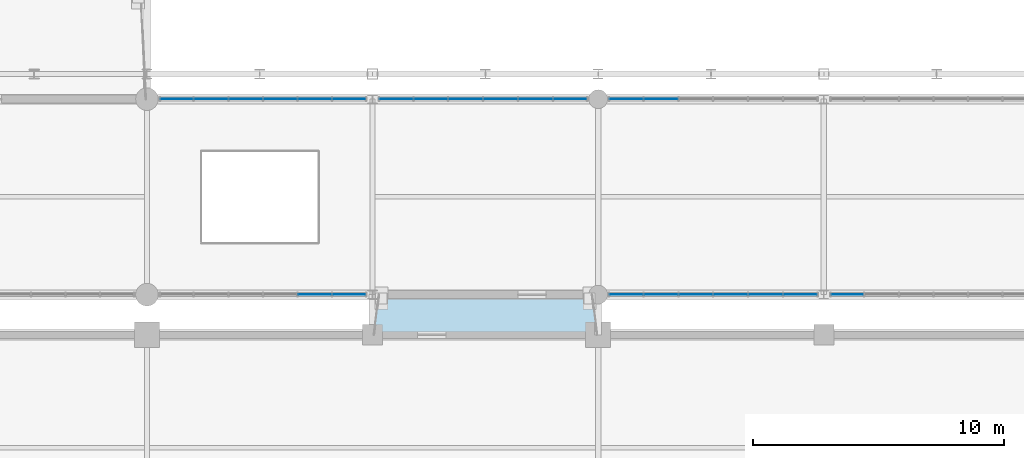
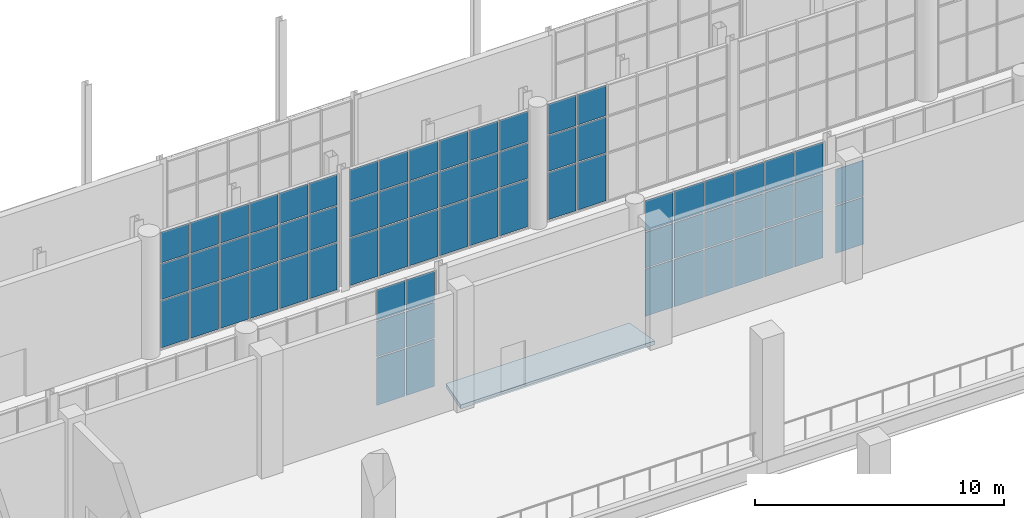
# One storey, part 100 of 159: 68 plates, 1 slab, 6 elements without a shape of their own.
"""IFC4 building model written with IfcOpenShell, lengths in metres."""

from ifc_helpers import new_model, si_unit, direction, frame, origin, origin_2d, place, context, subcontext, project, spatial, polyline, rectangle, outline, extrude, material, layer, layer_set, type_object, element, aggregate, save


model = new_model("IFC4")

# Units and contexts
model_context = context("Model", 3, precision=1e-05, world=origin(), true_north=direction((0.0, 1.0)))
body_context = subcontext(model_context, "Body", "Model", "MODEL_VIEW")
ifc_project = project(units=[si_unit("LENGTHUNIT", "METRE"), si_unit("AREAUNIT", "SQUARE_METRE"), si_unit("VOLUMEUNIT", "CUBIC_METRE"), si_unit("PLANEANGLEUNIT", "RADIAN"), si_unit("MASSUNIT", "GRAM", prefix="KILO")], contexts=[model_context])

# Site, building, storey
site_placement = place(None, origin())
site = spatial("IfcSite", under=ifc_project, at=site_placement, CompositionType="ELEMENT")
building_placement = place(site_placement, origin())
building = spatial("IfcBuilding", under=site, at=building_placement, Name="Cazmaro Siding Exhibition Halls", CompositionType="ELEMENT")
storey_placement = place(building_placement, frame((0.0, 0.0, 6.0)))
storey = spatial("IfcBuildingStorey", under=building, at=storey_placement, Name="L01", CompositionType="ELEMENT", Elevation=6.0)

# Curtain wall, plates
ifc_material_1 = material(Name="Anodized Bronze Aluminum and Solar-Control Low-E Glazing", Category="aluminium")
ifc_layer_1 = layer(ifc_material_1, 0.179931640625)
ifc_layer_set_1 = layer_set([ifc_layer_1], Name="Anodized Bronze Aluminum and Solar-Control Low-E Glazing")
curtain_wall_type = type_object("IfcCurtainWallType", Name="CWS-01", PredefinedType="USERDEFINED", material=ifc_layer_set_1)
curtain_wall_1_placement = place(storey_placement, origin())
curtain_wall_1 = element("IfcCurtainWall", 1, at=curtain_wall_1_placement, inside=storey, type_object=curtain_wall_type, Name="Glazed Curtain Wall CWS-01 CW-172", ObjectType="GLAZED CURTAIN WALL", PredefinedType="USERDEFINED")
ifc_material_2 = material(Name="Solar-Control Low-E Double Insulating Glass", Category="glass")
ifc_layer_2 = layer(ifc_material_2, 0.02392578125)
ifc_layer_set_2 = layer_set([ifc_layer_2], Name="Solar-Control Low-E Double Insulating Glass")
plate_type = type_object("IfcPlateType", Name="CWP-01", PredefinedType="CURTAIN_PANEL", material=ifc_layer_set_2)
plate_1_placement = place(storey_placement, frame((96.6982421875, 55.199951171875, 0.06005859375), z_axis=(0.0, 0.0, 1.0), x_axis=(1.0, 0.0, 0.0)))
plate_1 = element("IfcPlate", 2, at=plate_1_placement, type_object=plate_type, Name="CWS-01 panel 5.1", PredefinedType="CURTAIN_PANEL", context=body_context, shape_type="SweptSolid", body=[
    extrude(rectangle(XDim=1.321044921875, YDim=0.02392578125, at=origin_2d()), origin(), (0.0, 0.0, 1.0), 2.31005859375),
])
plate_2_placement = place(storey_placement, frame((96.6982421875, 55.199951171875, 2.43017578125), z_axis=(0.0, 0.0, 1.0), x_axis=(1.0, 0.0, 0.0)))
plate_2 = element("IfcPlate", 3, at=plate_2_placement, type_object=plate_type, Name="CWS-01 panel 5.2", PredefinedType="CURTAIN_PANEL", context=body_context, shape_type="SweptSolid", body=[
    extrude(rectangle(XDim=1.321044921875, YDim=0.02392578125, at=origin_2d()), origin(), (0.0, 0.0, 1.0), 1.739990234375),
])
plate_3_placement = place(storey_placement, frame((96.6982421875, 55.199951171875, 4.22998046875), z_axis=(0.0, 0.0, 1.0), x_axis=(1.0, 0.0, 0.0)))
plate_3 = element("IfcPlate", 4, at=plate_3_placement, type_object=plate_type, Name="CWS-01 panel 5.3", PredefinedType="CURTAIN_PANEL", context=body_context, shape_type="SweptSolid", body=[
    extrude(rectangle(XDim=1.321044921875, YDim=0.02392578125, at=origin_2d()), origin(), (0.0, 0.0, 1.0), 1.489990234375),
])
plate_4_placement = place(storey_placement, frame((98.064453125, 55.199951171875, 0.06005859375), z_axis=(0.0, 0.0, 1.0), x_axis=(1.0, 0.0, 0.0)))
plate_4 = element("IfcPlate", 5, at=plate_4_placement, type_object=plate_type, Name="CWS-01 panel 6.1", PredefinedType="CURTAIN_PANEL", context=body_context, shape_type="SweptSolid", body=[
    extrude(rectangle(XDim=1.291259765625, YDim=0.02392578125, at=origin_2d()), origin(), (0.0, 0.0, 1.0), 2.31005859375),
])
plate_5_placement = place(storey_placement, frame((98.064453125, 55.199951171875, 2.43017578125), z_axis=(0.0, 0.0, 1.0), x_axis=(1.0, 0.0, 0.0)))
plate_5 = element("IfcPlate", 6, at=plate_5_placement, type_object=plate_type, Name="CWS-01 panel 6.2", PredefinedType="CURTAIN_PANEL", context=body_context, shape_type="SweptSolid", body=[
    extrude(rectangle(XDim=1.291259765625, YDim=0.02392578125, at=origin_2d()), origin(), (0.0, 0.0, 1.0), 1.739990234375),
])
plate_6_placement = place(storey_placement, frame((98.064453125, 55.199951171875, 4.22998046875), z_axis=(0.0, 0.0, 1.0), x_axis=(1.0, 0.0, 0.0)))
plate_6 = element("IfcPlate", 7, at=plate_6_placement, type_object=plate_type, Name="CWS-01 panel 6.3", PredefinedType="CURTAIN_PANEL", context=body_context, shape_type="SweptSolid", body=[
    extrude(rectangle(XDim=1.291259765625, YDim=0.02392578125, at=origin_2d()), origin(), (0.0, 0.0, 1.0), 1.489990234375),
])
aggregate(curtain_wall_1, [plate_1, plate_2, plate_3, plate_4, plate_5, plate_6])

curtain_wall_2_placement = place(storey_placement, origin())
curtain_wall_2 = element("IfcCurtainWall", 8, at=curtain_wall_2_placement, inside=storey, type_object=curtain_wall_type, Name="Glazed Curtain Wall CWS-01 CW-174", ObjectType="GLAZED CURTAIN WALL", PredefinedType="USERDEFINED")
plate_7_placement = place(storey_placement, frame((98.064453125, 63.0, 0.06005859375), z_axis=(0.0, 0.0, 1.0), x_axis=(-1.0, 0.0, 0.0)))
plate_7 = element("IfcPlate", 9, at=plate_7_placement, type_object=plate_type, Name="CWS-01 panel 1.1", PredefinedType="CURTAIN_PANEL", context=body_context, shape_type="SweptSolid", body=[
    extrude(rectangle(XDim=1.291259765625, YDim=0.02392578125, at=origin_2d()), origin(), (0.0, 0.0, 1.0), 2.31005859375),
])
plate_8_placement = place(storey_placement, frame((98.064453125, 63.0, 2.43017578125), z_axis=(0.0, 0.0, 1.0), x_axis=(-1.0, 0.0, 0.0)))
plate_8 = element("IfcPlate", 10, at=plate_8_placement, type_object=plate_type, Name="CWS-01 panel 1.2", PredefinedType="CURTAIN_PANEL", context=body_context, shape_type="SweptSolid", body=[
    extrude(rectangle(XDim=1.291259765625, YDim=0.02392578125, at=origin_2d()), origin(), (0.0, 0.0, 1.0), 1.739990234375),
])
plate_9_placement = place(storey_placement, frame((98.064453125, 63.0, 4.22998046875), z_axis=(0.0, 0.0, 1.0), x_axis=(-1.0, 0.0, 0.0)))
plate_9 = element("IfcPlate", 11, at=plate_9_placement, type_object=plate_type, Name="CWS-01 panel 1.3", PredefinedType="CURTAIN_PANEL", context=body_context, shape_type="SweptSolid", body=[
    extrude(rectangle(XDim=1.291259765625, YDim=0.02392578125, at=origin_2d()), origin(), (0.0, 0.0, 1.0), 1.489990234375),
])
plate_10_placement = place(storey_placement, frame((96.6982421875, 63.0, 0.06005859375), z_axis=(0.0, 0.0, 1.0), x_axis=(-1.0, 0.0, 0.0)))
plate_10 = element("IfcPlate", 12, at=plate_10_placement, type_object=plate_type, Name="CWS-01 panel 2.1", PredefinedType="CURTAIN_PANEL", context=body_context, shape_type="SweptSolid", body=[
    extrude(rectangle(XDim=1.321044921875, YDim=0.02392578125, at=origin_2d()), origin(), (0.0, 0.0, 1.0), 2.31005859375),
])
plate_11_placement = place(storey_placement, frame((96.6982421875, 63.0, 2.43017578125), z_axis=(0.0, 0.0, 1.0), x_axis=(-1.0, 0.0, 0.0)))
plate_11 = element("IfcPlate", 13, at=plate_11_placement, type_object=plate_type, Name="CWS-01 panel 2.2", PredefinedType="CURTAIN_PANEL", context=body_context, shape_type="SweptSolid", body=[
    extrude(rectangle(XDim=1.321044921875, YDim=0.02392578125, at=origin_2d()), origin(), (0.0, 0.0, 1.0), 1.739990234375),
])
plate_12_placement = place(storey_placement, frame((96.6982421875, 63.0, 4.22998046875), z_axis=(0.0, 0.0, 1.0), x_axis=(-1.0, 0.0, 0.0)))
plate_12 = element("IfcPlate", 14, at=plate_12_placement, type_object=plate_type, Name="CWS-01 panel 2.3", PredefinedType="CURTAIN_PANEL", context=body_context, shape_type="SweptSolid", body=[
    extrude(rectangle(XDim=1.321044921875, YDim=0.02392578125, at=origin_2d()), origin(), (0.0, 0.0, 1.0), 1.489990234375),
])
plate_13_placement = place(storey_placement, frame((95.317138671875, 63.0, 0.06005859375), z_axis=(0.0, 0.0, 1.0), x_axis=(-1.0, 0.0, 0.0)))
plate_13 = element("IfcPlate", 15, at=plate_13_placement, type_object=plate_type, Name="CWS-01 panel 3.1", PredefinedType="CURTAIN_PANEL", context=body_context, shape_type="SweptSolid", body=[
    extrude(rectangle(XDim=1.321044921875, YDim=0.02392578125, at=origin_2d()), origin(), (0.0, 0.0, 1.0), 2.31005859375),
])
plate_14_placement = place(storey_placement, frame((95.317138671875, 63.0, 2.43017578125), z_axis=(0.0, 0.0, 1.0), x_axis=(-1.0, 0.0, 0.0)))
plate_14 = element("IfcPlate", 16, at=plate_14_placement, type_object=plate_type, Name="CWS-01 panel 3.2", PredefinedType="CURTAIN_PANEL", context=body_context, shape_type="SweptSolid", body=[
    extrude(rectangle(XDim=1.321044921875, YDim=0.02392578125, at=origin_2d()), origin(), (0.0, 0.0, 1.0), 1.739990234375),
])
plate_15_placement = place(storey_placement, frame((95.317138671875, 63.0, 4.22998046875), z_axis=(0.0, 0.0, 1.0), x_axis=(-1.0, 0.0, 0.0)))
plate_15 = element("IfcPlate", 17, at=plate_15_placement, type_object=plate_type, Name="CWS-01 panel 3.3", PredefinedType="CURTAIN_PANEL", context=body_context, shape_type="SweptSolid", body=[
    extrude(rectangle(XDim=1.321044921875, YDim=0.02392578125, at=origin_2d()), origin(), (0.0, 0.0, 1.0), 1.489990234375),
])
plate_16_placement = place(storey_placement, frame((93.93603515625, 63.0, 0.06005859375), z_axis=(0.0, 0.0, 1.0), x_axis=(-1.0, 0.0, 0.0)))
plate_16 = element("IfcPlate", 18, at=plate_16_placement, type_object=plate_type, Name="CWS-01 panel 4.1", PredefinedType="CURTAIN_PANEL", context=body_context, shape_type="SweptSolid", body=[
    extrude(rectangle(XDim=1.321044921875, YDim=0.02392578125, at=origin_2d()), origin(), (0.0, 0.0, 1.0), 2.31005859375),
])
plate_17_placement = place(storey_placement, frame((93.93603515625, 63.0, 2.43017578125), z_axis=(0.0, 0.0, 1.0), x_axis=(-1.0, 0.0, 0.0)))
plate_17 = element("IfcPlate", 19, at=plate_17_placement, type_object=plate_type, Name="CWS-01 panel 4.2", PredefinedType="CURTAIN_PANEL", context=body_context, shape_type="SweptSolid", body=[
    extrude(rectangle(XDim=1.321044921875, YDim=0.02392578125, at=origin_2d()), origin(), (0.0, 0.0, 1.0), 1.739990234375),
])
plate_18_placement = place(storey_placement, frame((93.93603515625, 63.0, 4.22998046875), z_axis=(0.0, 0.0, 1.0), x_axis=(-1.0, 0.0, 0.0)))
plate_18 = element("IfcPlate", 20, at=plate_18_placement, type_object=plate_type, Name="CWS-01 panel 4.3", PredefinedType="CURTAIN_PANEL", context=body_context, shape_type="SweptSolid", body=[
    extrude(rectangle(XDim=1.321044921875, YDim=0.02392578125, at=origin_2d()), origin(), (0.0, 0.0, 1.0), 1.489990234375),
])
plate_19_placement = place(storey_placement, frame((92.5546875, 63.0, 0.06005859375), z_axis=(0.0, 0.0, 1.0), x_axis=(-1.0, 0.0, 0.0)))
plate_19 = element("IfcPlate", 21, at=plate_19_placement, type_object=plate_type, Name="CWS-01 panel 5.1", PredefinedType="CURTAIN_PANEL", context=body_context, shape_type="SweptSolid", body=[
    extrude(rectangle(XDim=1.321044921875, YDim=0.02392578125, at=origin_2d()), origin(), (0.0, 0.0, 1.0), 2.31005859375),
])
plate_20_placement = place(storey_placement, frame((92.5546875, 63.0, 2.43017578125), z_axis=(0.0, 0.0, 1.0), x_axis=(-1.0, 0.0, 0.0)))
plate_20 = element("IfcPlate", 22, at=plate_20_placement, type_object=plate_type, Name="CWS-01 panel 5.2", PredefinedType="CURTAIN_PANEL", context=body_context, shape_type="SweptSolid", body=[
    extrude(rectangle(XDim=1.321044921875, YDim=0.02392578125, at=origin_2d()), origin(), (0.0, 0.0, 1.0), 1.739990234375),
])
plate_21_placement = place(storey_placement, frame((92.5546875, 63.0, 4.22998046875), z_axis=(0.0, 0.0, 1.0), x_axis=(-1.0, 0.0, 0.0)))
plate_21 = element("IfcPlate", 23, at=plate_21_placement, type_object=plate_type, Name="CWS-01 panel 5.3", PredefinedType="CURTAIN_PANEL", context=body_context, shape_type="SweptSolid", body=[
    extrude(rectangle(XDim=1.321044921875, YDim=0.02392578125, at=origin_2d()), origin(), (0.0, 0.0, 1.0), 1.489990234375),
])
plate_22_placement = place(storey_placement, frame((91.1884765625, 63.0, 0.06005859375), z_axis=(0.0, 0.0, 1.0), x_axis=(-1.0, 0.0, 0.0)))
plate_22 = element("IfcPlate", 24, at=plate_22_placement, type_object=plate_type, Name="CWS-01 panel 6.1", PredefinedType="CURTAIN_PANEL", context=body_context, shape_type="SweptSolid", body=[
    extrude(rectangle(XDim=1.291259765625, YDim=0.02392578125, at=origin_2d()), origin(), (0.0, 0.0, 1.0), 2.31005859375),
])
plate_23_placement = place(storey_placement, frame((91.1884765625, 63.0, 2.43017578125), z_axis=(0.0, 0.0, 1.0), x_axis=(-1.0, 0.0, 0.0)))
plate_23 = element("IfcPlate", 25, at=plate_23_placement, type_object=plate_type, Name="CWS-01 panel 6.2", PredefinedType="CURTAIN_PANEL", context=body_context, shape_type="SweptSolid", body=[
    extrude(rectangle(XDim=1.291259765625, YDim=0.02392578125, at=origin_2d()), origin(), (0.0, 0.0, 1.0), 1.739990234375),
])
plate_24_placement = place(storey_placement, frame((91.1884765625, 63.0, 4.22998046875), z_axis=(0.0, 0.0, 1.0), x_axis=(-1.0, 0.0, 0.0)))
plate_24 = element("IfcPlate", 26, at=plate_24_placement, type_object=plate_type, Name="CWS-01 panel 6.3", PredefinedType="CURTAIN_PANEL", context=body_context, shape_type="SweptSolid", body=[
    extrude(rectangle(XDim=1.291259765625, YDim=0.02392578125, at=origin_2d()), origin(), (0.0, 0.0, 1.0), 1.489990234375),
])
aggregate(curtain_wall_2, [plate_7, plate_8, plate_9, plate_10, plate_11, plate_12, plate_13, plate_14, plate_15, plate_16, plate_17, plate_18, plate_19, plate_20, plate_21, plate_22, plate_23, plate_24])

curtain_wall_3_placement = place(storey_placement, origin())
curtain_wall_3 = element("IfcCurtainWall", 27, at=curtain_wall_3_placement, inside=storey, type_object=curtain_wall_type, Name="Glazed Curtain Wall CWS-01 CW-177", ObjectType="GLAZED CURTAIN WALL", PredefinedType="USERDEFINED")
plate_25_placement = place(storey_placement, frame((106.880126953125, 63.0, 0.06005859375), z_axis=(0.0, 0.0, 1.0), x_axis=(-1.0, 0.0, 0.0)))
plate_25 = element("IfcPlate", 28, at=plate_25_placement, type_object=plate_type, Name="CWS-01 panel 1.1", PredefinedType="CURTAIN_PANEL", context=body_context, shape_type="SweptSolid", body=[
    extrude(rectangle(XDim=1.3037109375, YDim=0.02392578125, at=origin_2d()), origin(), (0.0, 0.0, 1.0), 2.31005859375),
])
plate_26_placement = place(storey_placement, frame((106.880126953125, 63.0, 2.43017578125), z_axis=(0.0, 0.0, 1.0), x_axis=(-1.0, 0.0, 0.0)))
plate_26 = element("IfcPlate", 29, at=plate_26_placement, type_object=plate_type, Name="CWS-01 panel 1.2", PredefinedType="CURTAIN_PANEL", context=body_context, shape_type="SweptSolid", body=[
    extrude(rectangle(XDim=1.3037109375, YDim=0.02392578125, at=origin_2d()), origin(), (0.0, 0.0, 1.0), 1.739990234375),
])
plate_27_placement = place(storey_placement, frame((106.880126953125, 63.0, 4.22998046875), z_axis=(0.0, 0.0, 1.0), x_axis=(-1.0, 0.0, 0.0)))
plate_27 = element("IfcPlate", 30, at=plate_27_placement, type_object=plate_type, Name="CWS-01 panel 1.3", PredefinedType="CURTAIN_PANEL", context=body_context, shape_type="SweptSolid", body=[
    extrude(rectangle(XDim=1.3037109375, YDim=0.02392578125, at=origin_2d()), origin(), (0.0, 0.0, 1.0), 1.489990234375),
])
plate_28_placement = place(storey_placement, frame((105.50146484375, 63.0, 0.06005859375), z_axis=(0.0, 0.0, 1.0), x_axis=(-1.0, 0.0, 0.0)))
plate_28 = element("IfcPlate", 31, at=plate_28_placement, type_object=plate_type, Name="CWS-01 panel 2.1", PredefinedType="CURTAIN_PANEL", context=body_context, shape_type="SweptSolid", body=[
    extrude(rectangle(XDim=1.333740234375, YDim=0.02392578125, at=origin_2d()), origin(), (0.0, 0.0, 1.0), 2.31005859375),
])
plate_29_placement = place(storey_placement, frame((105.50146484375, 63.0, 2.43017578125), z_axis=(0.0, 0.0, 1.0), x_axis=(-1.0, 0.0, 0.0)))
plate_29 = element("IfcPlate", 32, at=plate_29_placement, type_object=plate_type, Name="CWS-01 panel 2.2", PredefinedType="CURTAIN_PANEL", context=body_context, shape_type="SweptSolid", body=[
    extrude(rectangle(XDim=1.333740234375, YDim=0.02392578125, at=origin_2d()), origin(), (0.0, 0.0, 1.0), 1.739990234375),
])
plate_30_placement = place(storey_placement, frame((105.50146484375, 63.0, 4.22998046875), z_axis=(0.0, 0.0, 1.0), x_axis=(-1.0, 0.0, 0.0)))
plate_30 = element("IfcPlate", 33, at=plate_30_placement, type_object=plate_type, Name="CWS-01 panel 2.3", PredefinedType="CURTAIN_PANEL", context=body_context, shape_type="SweptSolid", body=[
    extrude(rectangle(XDim=1.333740234375, YDim=0.02392578125, at=origin_2d()), origin(), (0.0, 0.0, 1.0), 1.489990234375),
])
plate_31_placement = place(storey_placement, frame((104.10791015625, 63.0, 0.06005859375), z_axis=(0.0, 0.0, 1.0), x_axis=(-1.0, 0.0, 0.0)))
plate_31 = element("IfcPlate", 34, at=plate_31_placement, type_object=plate_type, Name="CWS-01 panel 3.1", PredefinedType="CURTAIN_PANEL", context=body_context, shape_type="SweptSolid", body=[
    extrude(rectangle(XDim=1.333740234375, YDim=0.02392578125, at=origin_2d()), origin(), (0.0, 0.0, 1.0), 2.31005859375),
])
plate_32_placement = place(storey_placement, frame((104.10791015625, 63.0, 2.43017578125), z_axis=(0.0, 0.0, 1.0), x_axis=(-1.0, 0.0, 0.0)))
plate_32 = element("IfcPlate", 35, at=plate_32_placement, type_object=plate_type, Name="CWS-01 panel 3.2", PredefinedType="CURTAIN_PANEL", context=body_context, shape_type="SweptSolid", body=[
    extrude(rectangle(XDim=1.333740234375, YDim=0.02392578125, at=origin_2d()), origin(), (0.0, 0.0, 1.0), 1.739990234375),
])
plate_33_placement = place(storey_placement, frame((104.10791015625, 63.0, 4.22998046875), z_axis=(0.0, 0.0, 1.0), x_axis=(-1.0, 0.0, 0.0)))
plate_33 = element("IfcPlate", 36, at=plate_33_placement, type_object=plate_type, Name="CWS-01 panel 3.3", PredefinedType="CURTAIN_PANEL", context=body_context, shape_type="SweptSolid", body=[
    extrude(rectangle(XDim=1.333740234375, YDim=0.02392578125, at=origin_2d()), origin(), (0.0, 0.0, 1.0), 1.489990234375),
])
plate_34_placement = place(storey_placement, frame((102.714111328125, 63.0, 0.06005859375), z_axis=(0.0, 0.0, 1.0), x_axis=(-1.0, 0.0, 0.0)))
plate_34 = element("IfcPlate", 37, at=plate_34_placement, type_object=plate_type, Name="CWS-01 panel 4.1", PredefinedType="CURTAIN_PANEL", context=body_context, shape_type="SweptSolid", body=[
    extrude(rectangle(XDim=1.333740234375, YDim=0.02392578125, at=origin_2d()), origin(), (0.0, 0.0, 1.0), 2.31005859375),
])
plate_35_placement = place(storey_placement, frame((102.714111328125, 63.0, 2.43017578125), z_axis=(0.0, 0.0, 1.0), x_axis=(-1.0, 0.0, 0.0)))
plate_35 = element("IfcPlate", 38, at=plate_35_placement, type_object=plate_type, Name="CWS-01 panel 4.2", PredefinedType="CURTAIN_PANEL", context=body_context, shape_type="SweptSolid", body=[
    extrude(rectangle(XDim=1.333740234375, YDim=0.02392578125, at=origin_2d()), origin(), (0.0, 0.0, 1.0), 1.739990234375),
])
plate_36_placement = place(storey_placement, frame((102.714111328125, 63.0, 4.22998046875), z_axis=(0.0, 0.0, 1.0), x_axis=(-1.0, 0.0, 0.0)))
plate_36 = element("IfcPlate", 39, at=plate_36_placement, type_object=plate_type, Name="CWS-01 panel 4.3", PredefinedType="CURTAIN_PANEL", context=body_context, shape_type="SweptSolid", body=[
    extrude(rectangle(XDim=1.333740234375, YDim=0.02392578125, at=origin_2d()), origin(), (0.0, 0.0, 1.0), 1.489990234375),
])
plate_37_placement = place(storey_placement, frame((101.320556640625, 63.0, 0.06005859375), z_axis=(0.0, 0.0, 1.0), x_axis=(-1.0, 0.0, 0.0)))
plate_37 = element("IfcPlate", 40, at=plate_37_placement, type_object=plate_type, Name="CWS-01 panel 5.1", PredefinedType="CURTAIN_PANEL", context=body_context, shape_type="SweptSolid", body=[
    extrude(rectangle(XDim=1.333740234375, YDim=0.02392578125, at=origin_2d()), origin(), (0.0, 0.0, 1.0), 2.31005859375),
])
plate_38_placement = place(storey_placement, frame((101.320556640625, 63.0, 2.43017578125), z_axis=(0.0, 0.0, 1.0), x_axis=(-1.0, 0.0, 0.0)))
plate_38 = element("IfcPlate", 41, at=plate_38_placement, type_object=plate_type, Name="CWS-01 panel 5.2", PredefinedType="CURTAIN_PANEL", context=body_context, shape_type="SweptSolid", body=[
    extrude(rectangle(XDim=1.333740234375, YDim=0.02392578125, at=origin_2d()), origin(), (0.0, 0.0, 1.0), 1.739990234375),
])
plate_39_placement = place(storey_placement, frame((101.320556640625, 63.0, 4.22998046875), z_axis=(0.0, 0.0, 1.0), x_axis=(-1.0, 0.0, 0.0)))
plate_39 = element("IfcPlate", 42, at=plate_39_placement, type_object=plate_type, Name="CWS-01 panel 5.3", PredefinedType="CURTAIN_PANEL", context=body_context, shape_type="SweptSolid", body=[
    extrude(rectangle(XDim=1.333740234375, YDim=0.02392578125, at=origin_2d()), origin(), (0.0, 0.0, 1.0), 1.489990234375),
])
plate_40_placement = place(storey_placement, frame((99.94189453125, 63.0, 0.06005859375), z_axis=(0.0, 0.0, 1.0), x_axis=(-1.0, 0.0, 0.0)))
plate_40 = element("IfcPlate", 43, at=plate_40_placement, type_object=plate_type, Name="CWS-01 panel 6.1", PredefinedType="CURTAIN_PANEL", context=body_context, shape_type="SweptSolid", body=[
    extrude(rectangle(XDim=1.3037109375, YDim=0.02392578125, at=origin_2d()), origin(), (0.0, 0.0, 1.0), 2.31005859375),
])
plate_41_placement = place(storey_placement, frame((99.94189453125, 63.0, 2.43017578125), z_axis=(0.0, 0.0, 1.0), x_axis=(-1.0, 0.0, 0.0)))
plate_41 = element("IfcPlate", 44, at=plate_41_placement, type_object=plate_type, Name="CWS-01 panel 6.2", PredefinedType="CURTAIN_PANEL", context=body_context, shape_type="SweptSolid", body=[
    extrude(rectangle(XDim=1.3037109375, YDim=0.02392578125, at=origin_2d()), origin(), (0.0, 0.0, 1.0), 1.739990234375),
])
plate_42_placement = place(storey_placement, frame((99.94189453125, 63.0, 4.22998046875), z_axis=(0.0, 0.0, 1.0), x_axis=(-1.0, 0.0, 0.0)))
plate_42 = element("IfcPlate", 45, at=plate_42_placement, type_object=plate_type, Name="CWS-01 panel 6.3", PredefinedType="CURTAIN_PANEL", context=body_context, shape_type="SweptSolid", body=[
    extrude(rectangle(XDim=1.3037109375, YDim=0.02392578125, at=origin_2d()), origin(), (0.0, 0.0, 1.0), 1.489990234375),
])
aggregate(curtain_wall_3, [plate_25, plate_26, plate_27, plate_28, plate_29, plate_30, plate_31, plate_32, plate_33, plate_34, plate_35, plate_36, plate_37, plate_38, plate_39, plate_40, plate_41, plate_42])

curtain_wall_4_placement = place(storey_placement, origin())
curtain_wall_4 = element("IfcCurtainWall", 46, at=curtain_wall_4_placement, inside=storey, type_object=curtain_wall_type, Name="Glazed Curtain Wall CWS-01 CW-181", ObjectType="GLAZED CURTAIN WALL", PredefinedType="USERDEFINED")
plate_43_placement = place(storey_placement, frame((109.119873046875, 55.199951171875, 0.06005859375), z_axis=(0.0, 0.0, 1.0), x_axis=(1.0, 0.0, 0.0)))
plate_43 = element("IfcPlate", 47, at=plate_43_placement, type_object=plate_type, Name="CWS-01 panel 1.1", PredefinedType="CURTAIN_PANEL", context=body_context, shape_type="SweptSolid", body=[
    extrude(rectangle(XDim=1.3037109375, YDim=0.02392578125, at=origin_2d()), origin(), (0.0, 0.0, 1.0), 2.31005859375),
])
plate_44_placement = place(storey_placement, frame((109.119873046875, 55.199951171875, 2.43017578125), z_axis=(0.0, 0.0, 1.0), x_axis=(1.0, 0.0, 0.0)))
plate_44 = element("IfcPlate", 48, at=plate_44_placement, type_object=plate_type, Name="CWS-01 panel 1.2", PredefinedType="CURTAIN_PANEL", context=body_context, shape_type="SweptSolid", body=[
    extrude(rectangle(XDim=1.3037109375, YDim=0.02392578125, at=origin_2d()), origin(), (0.0, 0.0, 1.0), 1.739990234375),
])
plate_45_placement = place(storey_placement, frame((109.119873046875, 55.199951171875, 4.22998046875), z_axis=(0.0, 0.0, 1.0), x_axis=(1.0, 0.0, 0.0)))
plate_45 = element("IfcPlate", 49, at=plate_45_placement, type_object=plate_type, Name="CWS-01 panel 1.3", PredefinedType="CURTAIN_PANEL", context=body_context, shape_type="SweptSolid", body=[
    extrude(rectangle(XDim=1.3037109375, YDim=0.02392578125, at=origin_2d()), origin(), (0.0, 0.0, 1.0), 1.489990234375),
])
plate_46_placement = place(storey_placement, frame((110.49853515625, 55.199951171875, 0.06005859375), z_axis=(0.0, 0.0, 1.0), x_axis=(1.0, 0.0, 0.0)))
plate_46 = element("IfcPlate", 50, at=plate_46_placement, type_object=plate_type, Name="CWS-01 panel 2.1", PredefinedType="CURTAIN_PANEL", context=body_context, shape_type="SweptSolid", body=[
    extrude(rectangle(XDim=1.333740234375, YDim=0.02392578125, at=origin_2d()), origin(), (0.0, 0.0, 1.0), 2.31005859375),
])
plate_47_placement = place(storey_placement, frame((110.49853515625, 55.199951171875, 2.43017578125), z_axis=(0.0, 0.0, 1.0), x_axis=(1.0, 0.0, 0.0)))
plate_47 = element("IfcPlate", 51, at=plate_47_placement, type_object=plate_type, Name="CWS-01 panel 2.2", PredefinedType="CURTAIN_PANEL", context=body_context, shape_type="SweptSolid", body=[
    extrude(rectangle(XDim=1.333740234375, YDim=0.02392578125, at=origin_2d()), origin(), (0.0, 0.0, 1.0), 1.739990234375),
])
plate_48_placement = place(storey_placement, frame((110.49853515625, 55.199951171875, 4.22998046875), z_axis=(0.0, 0.0, 1.0), x_axis=(1.0, 0.0, 0.0)))
plate_48 = element("IfcPlate", 52, at=plate_48_placement, type_object=plate_type, Name="CWS-01 panel 2.3", PredefinedType="CURTAIN_PANEL", context=body_context, shape_type="SweptSolid", body=[
    extrude(rectangle(XDim=1.333740234375, YDim=0.02392578125, at=origin_2d()), origin(), (0.0, 0.0, 1.0), 1.489990234375),
])
plate_49_placement = place(storey_placement, frame((111.89208984375, 55.199951171875, 0.06005859375), z_axis=(0.0, 0.0, 1.0), x_axis=(1.0, 0.0, 0.0)))
plate_49 = element("IfcPlate", 53, at=plate_49_placement, type_object=plate_type, Name="CWS-01 panel 3.1", PredefinedType="CURTAIN_PANEL", context=body_context, shape_type="SweptSolid", body=[
    extrude(rectangle(XDim=1.333740234375, YDim=0.02392578125, at=origin_2d()), origin(), (0.0, 0.0, 1.0), 2.31005859375),
])
plate_50_placement = place(storey_placement, frame((111.89208984375, 55.199951171875, 2.43017578125), z_axis=(0.0, 0.0, 1.0), x_axis=(1.0, 0.0, 0.0)))
plate_50 = element("IfcPlate", 54, at=plate_50_placement, type_object=plate_type, Name="CWS-01 panel 3.2", PredefinedType="CURTAIN_PANEL", context=body_context, shape_type="SweptSolid", body=[
    extrude(rectangle(XDim=1.333740234375, YDim=0.02392578125, at=origin_2d()), origin(), (0.0, 0.0, 1.0), 1.739990234375),
])
plate_51_placement = place(storey_placement, frame((111.89208984375, 55.199951171875, 4.22998046875), z_axis=(0.0, 0.0, 1.0), x_axis=(1.0, 0.0, 0.0)))
plate_51 = element("IfcPlate", 55, at=plate_51_placement, type_object=plate_type, Name="CWS-01 panel 3.3", PredefinedType="CURTAIN_PANEL", context=body_context, shape_type="SweptSolid", body=[
    extrude(rectangle(XDim=1.333740234375, YDim=0.02392578125, at=origin_2d()), origin(), (0.0, 0.0, 1.0), 1.489990234375),
])
plate_52_placement = place(storey_placement, frame((113.285888671875, 55.199951171875, 0.06005859375), z_axis=(0.0, 0.0, 1.0), x_axis=(1.0, 0.0, 0.0)))
plate_52 = element("IfcPlate", 56, at=plate_52_placement, type_object=plate_type, Name="CWS-01 panel 4.1", PredefinedType="CURTAIN_PANEL", context=body_context, shape_type="SweptSolid", body=[
    extrude(rectangle(XDim=1.333740234375, YDim=0.02392578125, at=origin_2d()), origin(), (0.0, 0.0, 1.0), 2.31005859375),
])
plate_53_placement = place(storey_placement, frame((113.285888671875, 55.199951171875, 2.43017578125), z_axis=(0.0, 0.0, 1.0), x_axis=(1.0, 0.0, 0.0)))
plate_53 = element("IfcPlate", 57, at=plate_53_placement, type_object=plate_type, Name="CWS-01 panel 4.2", PredefinedType="CURTAIN_PANEL", context=body_context, shape_type="SweptSolid", body=[
    extrude(rectangle(XDim=1.333740234375, YDim=0.02392578125, at=origin_2d()), origin(), (0.0, 0.0, 1.0), 1.739990234375),
])
plate_54_placement = place(storey_placement, frame((113.285888671875, 55.199951171875, 4.22998046875), z_axis=(0.0, 0.0, 1.0), x_axis=(1.0, 0.0, 0.0)))
plate_54 = element("IfcPlate", 58, at=plate_54_placement, type_object=plate_type, Name="CWS-01 panel 4.3", PredefinedType="CURTAIN_PANEL", context=body_context, shape_type="SweptSolid", body=[
    extrude(rectangle(XDim=1.333740234375, YDim=0.02392578125, at=origin_2d()), origin(), (0.0, 0.0, 1.0), 1.489990234375),
])
plate_55_placement = place(storey_placement, frame((114.679443359375, 55.199951171875, 0.06005859375), z_axis=(0.0, 0.0, 1.0), x_axis=(1.0, 0.0, 0.0)))
plate_55 = element("IfcPlate", 59, at=plate_55_placement, type_object=plate_type, Name="CWS-01 panel 5.1", PredefinedType="CURTAIN_PANEL", context=body_context, shape_type="SweptSolid", body=[
    extrude(rectangle(XDim=1.333740234375, YDim=0.02392578125, at=origin_2d()), origin(), (0.0, 0.0, 1.0), 2.31005859375),
])
plate_56_placement = place(storey_placement, frame((114.679443359375, 55.199951171875, 2.43017578125), z_axis=(0.0, 0.0, 1.0), x_axis=(1.0, 0.0, 0.0)))
plate_56 = element("IfcPlate", 60, at=plate_56_placement, type_object=plate_type, Name="CWS-01 panel 5.2", PredefinedType="CURTAIN_PANEL", context=body_context, shape_type="SweptSolid", body=[
    extrude(rectangle(XDim=1.333740234375, YDim=0.02392578125, at=origin_2d()), origin(), (0.0, 0.0, 1.0), 1.739990234375),
])
plate_57_placement = place(storey_placement, frame((114.679443359375, 55.199951171875, 4.22998046875), z_axis=(0.0, 0.0, 1.0), x_axis=(1.0, 0.0, 0.0)))
plate_57 = element("IfcPlate", 61, at=plate_57_placement, type_object=plate_type, Name="CWS-01 panel 5.3", PredefinedType="CURTAIN_PANEL", context=body_context, shape_type="SweptSolid", body=[
    extrude(rectangle(XDim=1.333740234375, YDim=0.02392578125, at=origin_2d()), origin(), (0.0, 0.0, 1.0), 1.489990234375),
])
plate_58_placement = place(storey_placement, frame((116.05810546875, 55.199951171875, 0.06005859375), z_axis=(0.0, 0.0, 1.0), x_axis=(1.0, 0.0, 0.0)))
plate_58 = element("IfcPlate", 62, at=plate_58_placement, type_object=plate_type, Name="CWS-01 panel 6.1", PredefinedType="CURTAIN_PANEL", context=body_context, shape_type="SweptSolid", body=[
    extrude(rectangle(XDim=1.3037109375, YDim=0.02392578125, at=origin_2d()), origin(), (0.0, 0.0, 1.0), 2.31005859375),
])
plate_59_placement = place(storey_placement, frame((116.05810546875, 55.199951171875, 2.43017578125), z_axis=(0.0, 0.0, 1.0), x_axis=(1.0, 0.0, 0.0)))
plate_59 = element("IfcPlate", 63, at=plate_59_placement, type_object=plate_type, Name="CWS-01 panel 6.2", PredefinedType="CURTAIN_PANEL", context=body_context, shape_type="SweptSolid", body=[
    extrude(rectangle(XDim=1.3037109375, YDim=0.02392578125, at=origin_2d()), origin(), (0.0, 0.0, 1.0), 1.739990234375),
])
plate_60_placement = place(storey_placement, frame((116.05810546875, 55.199951171875, 4.22998046875), z_axis=(0.0, 0.0, 1.0), x_axis=(1.0, 0.0, 0.0)))
plate_60 = element("IfcPlate", 64, at=plate_60_placement, type_object=plate_type, Name="CWS-01 panel 6.3", PredefinedType="CURTAIN_PANEL", context=body_context, shape_type="SweptSolid", body=[
    extrude(rectangle(XDim=1.3037109375, YDim=0.02392578125, at=origin_2d()), origin(), (0.0, 0.0, 1.0), 1.489990234375),
])
aggregate(curtain_wall_4, [plate_43, plate_44, plate_45, plate_46, plate_47, plate_48, plate_49, plate_50, plate_51, plate_52, plate_53, plate_54, plate_55, plate_56, plate_57, plate_58, plate_59, plate_60])

curtain_wall_5_placement = place(storey_placement, origin())
curtain_wall_5 = element("IfcCurtainWall", 65, at=curtain_wall_5_placement, inside=storey, type_object=curtain_wall_type, Name="Glazed Curtain Wall CWS-01 CW-183", ObjectType="GLAZED CURTAIN WALL", PredefinedType="USERDEFINED")
plate_61_placement = place(storey_placement, frame((110.49853515625, 63.0, 0.06005859375), z_axis=(0.0, 0.0, 1.0), x_axis=(-1.0, 0.0, 0.0)))
plate_61 = element("IfcPlate", 66, at=plate_61_placement, type_object=plate_type, Name="CWS-01 panel 5.1", PredefinedType="CURTAIN_PANEL", context=body_context, shape_type="SweptSolid", body=[
    extrude(rectangle(XDim=1.333740234375, YDim=0.02392578125, at=origin_2d()), origin(), (0.0, 0.0, 1.0), 2.31005859375),
])
plate_62_placement = place(storey_placement, frame((110.49853515625, 63.0, 2.43017578125), z_axis=(0.0, 0.0, 1.0), x_axis=(-1.0, 0.0, 0.0)))
plate_62 = element("IfcPlate", 67, at=plate_62_placement, type_object=plate_type, Name="CWS-01 panel 5.2", PredefinedType="CURTAIN_PANEL", context=body_context, shape_type="SweptSolid", body=[
    extrude(rectangle(XDim=1.333740234375, YDim=0.02392578125, at=origin_2d()), origin(), (0.0, 0.0, 1.0), 1.739990234375),
])
plate_63_placement = place(storey_placement, frame((110.49853515625, 63.0, 4.22998046875), z_axis=(0.0, 0.0, 1.0), x_axis=(-1.0, 0.0, 0.0)))
plate_63 = element("IfcPlate", 68, at=plate_63_placement, type_object=plate_type, Name="CWS-01 panel 5.3", PredefinedType="CURTAIN_PANEL", context=body_context, shape_type="SweptSolid", body=[
    extrude(rectangle(XDim=1.333740234375, YDim=0.02392578125, at=origin_2d()), origin(), (0.0, 0.0, 1.0), 1.489990234375),
])
plate_64_placement = place(storey_placement, frame((109.119873046875, 63.0, 0.06005859375), z_axis=(0.0, 0.0, 1.0), x_axis=(-1.0, 0.0, 0.0)))
plate_64 = element("IfcPlate", 69, at=plate_64_placement, type_object=plate_type, Name="CWS-01 panel 6.1", PredefinedType="CURTAIN_PANEL", context=body_context, shape_type="SweptSolid", body=[
    extrude(rectangle(XDim=1.3037109375, YDim=0.02392578125, at=origin_2d()), origin(), (0.0, 0.0, 1.0), 2.31005859375),
])
plate_65_placement = place(storey_placement, frame((109.119873046875, 63.0, 2.43017578125), z_axis=(0.0, 0.0, 1.0), x_axis=(-1.0, 0.0, 0.0)))
plate_65 = element("IfcPlate", 70, at=plate_65_placement, type_object=plate_type, Name="CWS-01 panel 6.2", PredefinedType="CURTAIN_PANEL", context=body_context, shape_type="SweptSolid", body=[
    extrude(rectangle(XDim=1.3037109375, YDim=0.02392578125, at=origin_2d()), origin(), (0.0, 0.0, 1.0), 1.739990234375),
])
plate_66_placement = place(storey_placement, frame((109.119873046875, 63.0, 4.22998046875), z_axis=(0.0, 0.0, 1.0), x_axis=(-1.0, 0.0, 0.0)))
plate_66 = element("IfcPlate", 71, at=plate_66_placement, type_object=plate_type, Name="CWS-01 panel 6.3", PredefinedType="CURTAIN_PANEL", context=body_context, shape_type="SweptSolid", body=[
    extrude(rectangle(XDim=1.3037109375, YDim=0.02392578125, at=origin_2d()), origin(), (0.0, 0.0, 1.0), 1.489990234375),
])
aggregate(curtain_wall_5, [plate_61, plate_62, plate_63, plate_64, plate_65, plate_66])

curtain_wall_6_placement = place(storey_placement, origin())
curtain_wall_6 = element("IfcCurtainWall", 72, at=curtain_wall_6_placement, inside=storey, type_object=curtain_wall_type, Name="Glazed Curtain Wall CWS-01 CW-186", ObjectType="GLAZED CURTAIN WALL", PredefinedType="USERDEFINED")
plate_67_placement = place(storey_placement, frame((117.935546875, 55.199951171875, 0.06005859375), z_axis=(0.0, 0.0, 1.0), x_axis=(1.0, 0.0, 0.0)))
plate_67 = element("IfcPlate", 73, at=plate_67_placement, type_object=plate_type, Name="CWS-01 panel 1.1", PredefinedType="CURTAIN_PANEL", context=body_context, shape_type="SweptSolid", body=[
    extrude(rectangle(XDim=1.291259765625, YDim=0.02392578125, at=origin_2d()), origin(), (0.0, 0.0, 1.0), 2.31005859375),
])
plate_68_placement = place(storey_placement, frame((117.935546875, 55.199951171875, 2.43017578125), z_axis=(0.0, 0.0, 1.0), x_axis=(1.0, 0.0, 0.0)))
plate_68 = element("IfcPlate", 74, at=plate_68_placement, type_object=plate_type, Name="CWS-01 panel 1.2", PredefinedType="CURTAIN_PANEL", context=body_context, shape_type="SweptSolid", body=[
    extrude(rectangle(XDim=1.291259765625, YDim=0.02392578125, at=origin_2d()), origin(), (0.0, 0.0, 1.0), 1.739990234375),
])
aggregate(curtain_wall_6, [plate_67, plate_68])

# Slab
ifc_material_3 = material(Name="Concrete f'c 35 MPa", Category="concrete")
ifc_layer_3 = layer(ifc_material_3, 0.18994140625)
ifc_layer_set_3 = layer_set([ifc_layer_3], Name="Concrete f'c 35 MPa")
slab_type = type_object("IfcSlabType", Name="FS-04", PredefinedType="FLOOR", material=ifc_layer_set_3)
slab_placement = place(storey_placement, frame((0.0, 0.0, -0.18994140625)))
element("IfcSlab", 75, at=slab_placement, inside=storey, type_object=slab_type, Name="Concourse Sliding Bridge SB-03 L01 FS-04 SLB-0050", PredefinedType="FLOOR", context=body_context, shape_type="SweptSolid", body=[
    extrude(outline(polyline([(99.0, 53.60009765625), (108.0, 53.60009765625), (107.75, 55.199951171875), (99.25, 55.199951171875), (99.0, 53.60009765625)])), origin(), (0.0, 0.0, 1.0), 0.18994140625),
])

save(model, "model.ifc")
